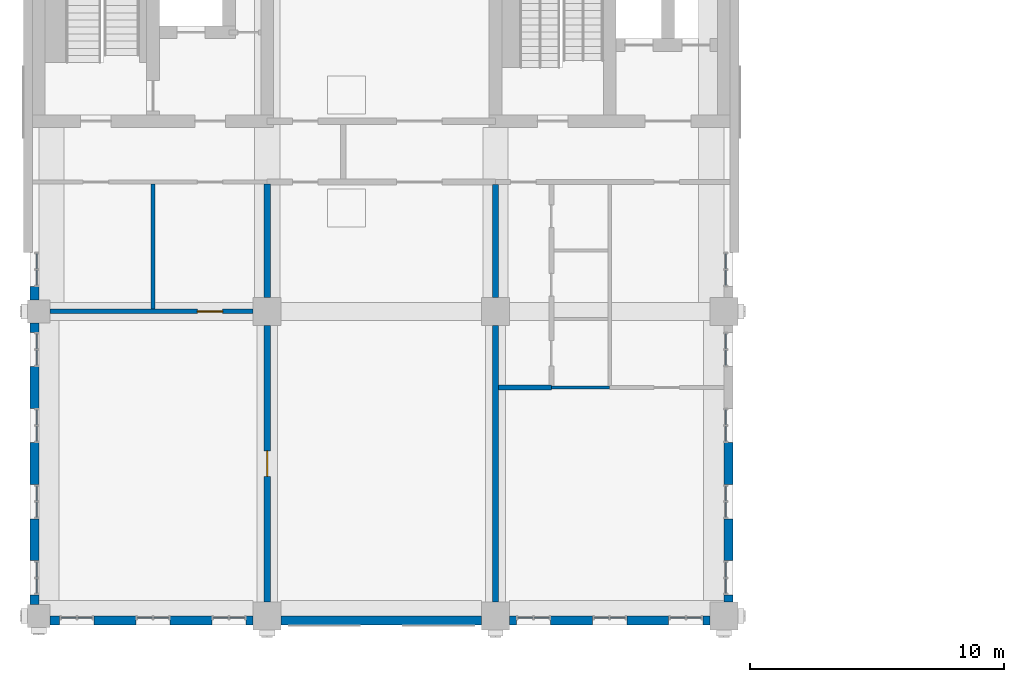
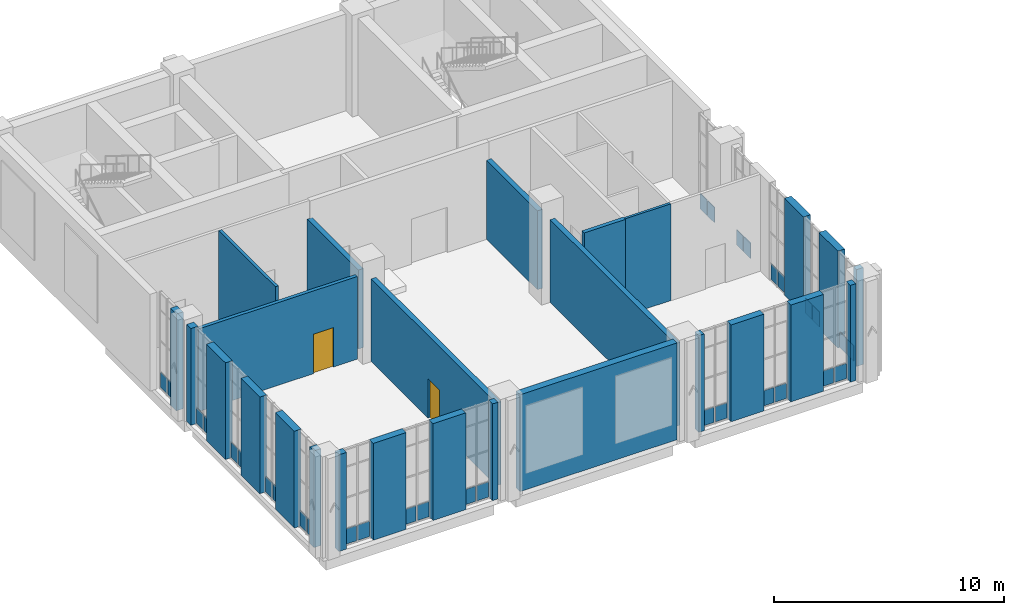
# One storey, part 12 of 22: 32 plates, 26 walls, 2 doors, 2 openings, 16 elements without a shape of their own.
"""IFC4 building model written with IfcOpenShell, lengths in metres."""

from ifc_helpers import new_model, si_unit, direction, frame, frame_2d, origin, origin_2d, place, context, subcontext, project, spatial, rectangle, extrude, material, layer, layer_set, type_object, element, fill, aggregate, save


model = new_model("IFC4")

# Units and contexts
model_context = context("Model", 3, precision=1e-05, world=origin(), true_north=direction((0.0, 1.0)))
body_context = subcontext(model_context, "Body", "Model", "MODEL_VIEW")
ifc_project = project(units=[si_unit("LENGTHUNIT", "METRE"), si_unit("AREAUNIT", "SQUARE_METRE"), si_unit("VOLUMEUNIT", "CUBIC_METRE"), si_unit("PLANEANGLEUNIT", "RADIAN"), si_unit("MASSUNIT", "GRAM", prefix="KILO")], contexts=[model_context])

# Site, building, storey
site_placement = place(None, origin())
site = spatial("IfcSite", under=ifc_project, at=site_placement, CompositionType="ELEMENT")
building_placement = place(site_placement, origin())
building = spatial("IfcBuilding", under=site, at=building_placement, Name="Aurelan Courthouse", CompositionType="ELEMENT")
storey_placement = place(building_placement, frame((0.0, 0.0, 39.0)))
storey = spatial("IfcBuildingStorey", under=building, at=storey_placement, Name="L07", CompositionType="ELEMENT", Elevation=39.0)

# Curtain wall, plates
ifc_material_1 = material(Name="Bronze-finished aluminium and glass", Category="aluminium")
ifc_layer_1 = layer(ifc_material_1, 0.14990234375)
ifc_layer_set_1 = layer_set([ifc_layer_1], Name="Bronze-finished aluminium and glass")
curtain_wall_type = type_object("IfcCurtainWallType", Name="Curtain wall 1350 x 5150", PredefinedType="NOTDEFINED", material=ifc_layer_set_1)
curtain_wall_1_placement = place(storey_placement, origin())
curtain_wall_1 = element("IfcCurtainWall", 1, at=curtain_wall_1_placement, inside=storey, type_object=curtain_wall_type, Name="Curtain wall CW-V5-L07-S01", PredefinedType="NOTDEFINED")
ifc_material_2 = material(Name="Bronze-finished aluminium", Category="aluminium")
ifc_layer_2 = layer(ifc_material_2, 0.0400390625)
ifc_layer_set_2 = layer_set([ifc_layer_2], Name="Bronze-finished aluminium")
plate_type = type_object("IfcPlateType", Name="Sill panel 40", PredefinedType="CURTAIN_PANEL", material=ifc_layer_set_2)
plate_1_placement = place(storey_placement, frame((1.177490234375, -0.074951171875, 0.06005859375), z_axis=(0.0, 0.0, 1.0), x_axis=(1.0, 0.0, 0.0)))
plate_1 = element("IfcPlate", 2, at=plate_1_placement, type_object=plate_type, Name="CW-V5-L07-S01 sill panel 1.1", PredefinedType="CURTAIN_PANEL", context=body_context, shape_type="SweptSolid", body=[
    extrude(rectangle(XDim=0.5849609375, YDim=0.0400390625, at=origin_2d()), origin(), (0.0, 0.0, 1.0), 0.81005859375),
])
plate_2_placement = place(storey_placement, frame((1.822509765625, -0.074951171875, 0.06005859375), z_axis=(0.0, 0.0, 1.0), x_axis=(1.0, 0.0, 0.0)))
plate_2 = element("IfcPlate", 3, at=plate_2_placement, type_object=plate_type, Name="CW-V5-L07-S01 sill panel 2.1", PredefinedType="CURTAIN_PANEL", context=body_context, shape_type="SweptSolid", body=[
    extrude(rectangle(XDim=0.5849609375, YDim=0.0400390625, at=origin_2d()), origin(), (0.0, 0.0, 1.0), 0.81005859375),
])
aggregate(curtain_wall_1, [plate_1, plate_2])

curtain_wall_2_placement = place(storey_placement, origin())
curtain_wall_2 = element("IfcCurtainWall", 4, at=curtain_wall_2_placement, inside=storey, type_object=curtain_wall_type, Name="Curtain wall CW-V5-L07-S02", PredefinedType="NOTDEFINED")
plate_3_placement = place(storey_placement, frame((4.177490234375, -0.074951171875, 0.06005859375), z_axis=(0.0, 0.0, 1.0), x_axis=(1.0, 0.0, 0.0)))
plate_3 = element("IfcPlate", 5, at=plate_3_placement, type_object=plate_type, Name="CW-V5-L07-S02 sill panel 1.1", PredefinedType="CURTAIN_PANEL", context=body_context, shape_type="SweptSolid", body=[
    extrude(rectangle(XDim=0.5849609375, YDim=0.0400390625, at=origin_2d()), origin(), (0.0, 0.0, 1.0), 0.81005859375),
])
plate_4_placement = place(storey_placement, frame((4.822509765625, -0.074951171875, 0.06005859375), z_axis=(0.0, 0.0, 1.0), x_axis=(1.0, 0.0, 0.0)))
plate_4 = element("IfcPlate", 6, at=plate_4_placement, type_object=plate_type, Name="CW-V5-L07-S02 sill panel 2.1", PredefinedType="CURTAIN_PANEL", context=body_context, shape_type="SweptSolid", body=[
    extrude(rectangle(XDim=0.5849609375, YDim=0.0400390625, at=origin_2d()), origin(), (0.0, 0.0, 1.0), 0.81005859375),
])
aggregate(curtain_wall_2, [plate_3, plate_4])

curtain_wall_3_placement = place(storey_placement, origin())
curtain_wall_3 = element("IfcCurtainWall", 7, at=curtain_wall_3_placement, inside=storey, type_object=curtain_wall_type, Name="Curtain wall CW-V5-L07-S03", PredefinedType="NOTDEFINED")
plate_5_placement = place(storey_placement, frame((7.177490234375, -0.074951171875, 0.06005859375), z_axis=(0.0, 0.0, 1.0), x_axis=(1.0, 0.0, 0.0)))
plate_5 = element("IfcPlate", 8, at=plate_5_placement, type_object=plate_type, Name="CW-V5-L07-S03 sill panel 1.1", PredefinedType="CURTAIN_PANEL", context=body_context, shape_type="SweptSolid", body=[
    extrude(rectangle(XDim=0.5849609375, YDim=0.0400390625, at=origin_2d()), origin(), (0.0, 0.0, 1.0), 0.81005859375),
])
plate_6_placement = place(storey_placement, frame((7.822509765625, -0.074951171875, 0.06005859375), z_axis=(0.0, 0.0, 1.0), x_axis=(1.0, 0.0, 0.0)))
plate_6 = element("IfcPlate", 9, at=plate_6_placement, type_object=plate_type, Name="CW-V5-L07-S03 sill panel 2.1", PredefinedType="CURTAIN_PANEL", context=body_context, shape_type="SweptSolid", body=[
    extrude(rectangle(XDim=0.5849609375, YDim=0.0400390625, at=origin_2d()), origin(), (0.0, 0.0, 1.0), 0.81005859375),
])
aggregate(curtain_wall_3, [plate_5, plate_6])

curtain_wall_4_placement = place(storey_placement, origin())
curtain_wall_4 = element("IfcCurtainWall", 10, at=curtain_wall_4_placement, inside=storey, type_object=curtain_wall_type, Name="Curtain wall CW-V5-L07-S04", PredefinedType="NOTDEFINED")
plate_7_placement = place(storey_placement, frame((19.177490234375, -0.074951171875, 0.06005859375), z_axis=(0.0, 0.0, 1.0), x_axis=(1.0, 0.0, 0.0)))
plate_7 = element("IfcPlate", 11, at=plate_7_placement, type_object=plate_type, Name="CW-V5-L07-S04 sill panel 1.1", PredefinedType="CURTAIN_PANEL", context=body_context, shape_type="SweptSolid", body=[
    extrude(rectangle(XDim=0.5849609375, YDim=0.0400390625, at=origin_2d()), origin(), (0.0, 0.0, 1.0), 0.81005859375),
])
plate_8_placement = place(storey_placement, frame((19.822509765625, -0.074951171875, 0.06005859375), z_axis=(0.0, 0.0, 1.0), x_axis=(1.0, 0.0, 0.0)))
plate_8 = element("IfcPlate", 12, at=plate_8_placement, type_object=plate_type, Name="CW-V5-L07-S04 sill panel 2.1", PredefinedType="CURTAIN_PANEL", context=body_context, shape_type="SweptSolid", body=[
    extrude(rectangle(XDim=0.5849609375, YDim=0.0400390625, at=origin_2d()), origin(), (0.0, 0.0, 1.0), 0.81005859375),
])
aggregate(curtain_wall_4, [plate_7, plate_8])

curtain_wall_5_placement = place(storey_placement, origin())
curtain_wall_5 = element("IfcCurtainWall", 13, at=curtain_wall_5_placement, inside=storey, type_object=curtain_wall_type, Name="Curtain wall CW-V5-L07-S05", PredefinedType="NOTDEFINED")
plate_9_placement = place(storey_placement, frame((22.177490234375, -0.074951171875, 0.06005859375), z_axis=(0.0, 0.0, 1.0), x_axis=(1.0, 0.0, 0.0)))
plate_9 = element("IfcPlate", 14, at=plate_9_placement, type_object=plate_type, Name="CW-V5-L07-S05 sill panel 1.1", PredefinedType="CURTAIN_PANEL", context=body_context, shape_type="SweptSolid", body=[
    extrude(rectangle(XDim=0.5849609375, YDim=0.0400390625, at=origin_2d()), origin(), (0.0, 0.0, 1.0), 0.81005859375),
])
plate_10_placement = place(storey_placement, frame((22.822509765625, -0.074951171875, 0.06005859375), z_axis=(0.0, 0.0, 1.0), x_axis=(1.0, 0.0, 0.0)))
plate_10 = element("IfcPlate", 15, at=plate_10_placement, type_object=plate_type, Name="CW-V5-L07-S05 sill panel 2.1", PredefinedType="CURTAIN_PANEL", context=body_context, shape_type="SweptSolid", body=[
    extrude(rectangle(XDim=0.5849609375, YDim=0.0400390625, at=origin_2d()), origin(), (0.0, 0.0, 1.0), 0.81005859375),
])
aggregate(curtain_wall_5, [plate_9, plate_10])

curtain_wall_6_placement = place(storey_placement, origin())
curtain_wall_6 = element("IfcCurtainWall", 16, at=curtain_wall_6_placement, inside=storey, type_object=curtain_wall_type, Name="Curtain wall CW-V5-L07-S06", PredefinedType="NOTDEFINED")
plate_11_placement = place(storey_placement, frame((25.177490234375, -0.074951171875, 0.06005859375), z_axis=(0.0, 0.0, 1.0), x_axis=(1.0, 0.0, 0.0)))
plate_11 = element("IfcPlate", 17, at=plate_11_placement, type_object=plate_type, Name="CW-V5-L07-S06 sill panel 1.1", PredefinedType="CURTAIN_PANEL", context=body_context, shape_type="SweptSolid", body=[
    extrude(rectangle(XDim=0.5849609375, YDim=0.0400390625, at=origin_2d()), origin(), (0.0, 0.0, 1.0), 0.81005859375),
])
plate_12_placement = place(storey_placement, frame((25.822509765625, -0.074951171875, 0.06005859375), z_axis=(0.0, 0.0, 1.0), x_axis=(1.0, 0.0, 0.0)))
plate_12 = element("IfcPlate", 18, at=plate_12_placement, type_object=plate_type, Name="CW-V5-L07-S06 sill panel 2.1", PredefinedType="CURTAIN_PANEL", context=body_context, shape_type="SweptSolid", body=[
    extrude(rectangle(XDim=0.5849609375, YDim=0.0400390625, at=origin_2d()), origin(), (0.0, 0.0, 1.0), 0.81005859375),
])
aggregate(curtain_wall_6, [plate_11, plate_12])

curtain_wall_7_placement = place(storey_placement, origin())
curtain_wall_7 = element("IfcCurtainWall", 19, at=curtain_wall_7_placement, inside=storey, type_object=curtain_wall_type, Name="Curtain wall CW-V5-L07-E01", PredefinedType="NOTDEFINED")
plate_13_placement = place(storey_placement, frame((27.074951171875, 1.177490234375, 0.06005859375), z_axis=(0.0, 0.0, 1.0), x_axis=(0.0, 1.0, 0.0)))
plate_13 = element("IfcPlate", 20, at=plate_13_placement, type_object=plate_type, Name="CW-V5-L07-E01 sill panel 1.1", PredefinedType="CURTAIN_PANEL", context=body_context, shape_type="SweptSolid", body=[
    extrude(rectangle(XDim=0.5849609375, YDim=0.0400390625, at=origin_2d()), origin(), (0.0, 0.0, 1.0), 0.81005859375),
])
plate_14_placement = place(storey_placement, frame((27.074951171875, 1.822509765625, 0.06005859375), z_axis=(0.0, 0.0, 1.0), x_axis=(0.0, 1.0, 0.0)))
plate_14 = element("IfcPlate", 21, at=plate_14_placement, type_object=plate_type, Name="CW-V5-L07-E01 sill panel 2.1", PredefinedType="CURTAIN_PANEL", context=body_context, shape_type="SweptSolid", body=[
    extrude(rectangle(XDim=0.5849609375, YDim=0.0400390625, at=origin_2d()), origin(), (0.0, 0.0, 1.0), 0.81005859375),
])
aggregate(curtain_wall_7, [plate_13, plate_14])

curtain_wall_8_placement = place(storey_placement, origin())
curtain_wall_8 = element("IfcCurtainWall", 22, at=curtain_wall_8_placement, inside=storey, type_object=curtain_wall_type, Name="Curtain wall CW-V5-L07-E02", PredefinedType="NOTDEFINED")
plate_15_placement = place(storey_placement, frame((27.074951171875, 4.177490234375, 0.06005859375), z_axis=(0.0, 0.0, 1.0), x_axis=(0.0, 1.0, 0.0)))
plate_15 = element("IfcPlate", 23, at=plate_15_placement, type_object=plate_type, Name="CW-V5-L07-E02 sill panel 1.1", PredefinedType="CURTAIN_PANEL", context=body_context, shape_type="SweptSolid", body=[
    extrude(rectangle(XDim=0.5849609375, YDim=0.0400390625, at=origin_2d()), origin(), (0.0, 0.0, 1.0), 0.81005859375),
])
plate_16_placement = place(storey_placement, frame((27.074951171875, 4.822509765625, 0.06005859375), z_axis=(0.0, 0.0, 1.0), x_axis=(0.0, 1.0, 0.0)))
plate_16 = element("IfcPlate", 24, at=plate_16_placement, type_object=plate_type, Name="CW-V5-L07-E02 sill panel 2.1", PredefinedType="CURTAIN_PANEL", context=body_context, shape_type="SweptSolid", body=[
    extrude(rectangle(XDim=0.5849609375, YDim=0.0400390625, at=origin_2d()), origin(), (0.0, 0.0, 1.0), 0.81005859375),
])
aggregate(curtain_wall_8, [plate_15, plate_16])

curtain_wall_9_placement = place(storey_placement, origin())
curtain_wall_9 = element("IfcCurtainWall", 25, at=curtain_wall_9_placement, inside=storey, type_object=curtain_wall_type, Name="Curtain wall CW-V5-L07-E03", PredefinedType="NOTDEFINED")
plate_17_placement = place(storey_placement, frame((27.074951171875, 7.177490234375, 0.06005859375), z_axis=(0.0, 0.0, 1.0), x_axis=(0.0, 1.0, 0.0)))
plate_17 = element("IfcPlate", 26, at=plate_17_placement, type_object=plate_type, Name="CW-V5-L07-E03 sill panel 1.1", PredefinedType="CURTAIN_PANEL", context=body_context, shape_type="SweptSolid", body=[
    extrude(rectangle(XDim=0.5849609375, YDim=0.0400390625, at=origin_2d()), origin(), (0.0, 0.0, 1.0), 0.81005859375),
])
plate_18_placement = place(storey_placement, frame((27.074951171875, 7.822509765625, 0.06005859375), z_axis=(0.0, 0.0, 1.0), x_axis=(0.0, 1.0, 0.0)))
plate_18 = element("IfcPlate", 27, at=plate_18_placement, type_object=plate_type, Name="CW-V5-L07-E03 sill panel 2.1", PredefinedType="CURTAIN_PANEL", context=body_context, shape_type="SweptSolid", body=[
    extrude(rectangle(XDim=0.5849609375, YDim=0.0400390625, at=origin_2d()), origin(), (0.0, 0.0, 1.0), 0.81005859375),
])
aggregate(curtain_wall_9, [plate_17, plate_18])

curtain_wall_10_placement = place(storey_placement, origin())
curtain_wall_10 = element("IfcCurtainWall", 28, at=curtain_wall_10_placement, inside=storey, type_object=curtain_wall_type, Name="Curtain wall CW-V5-L07-E04", PredefinedType="NOTDEFINED")
plate_19_placement = place(storey_placement, frame((27.074951171875, 10.177490234375, 0.06005859375), z_axis=(0.0, 0.0, 1.0), x_axis=(0.0, 1.0, 0.0)))
plate_19 = element("IfcPlate", 29, at=plate_19_placement, type_object=plate_type, Name="CW-V5-L07-E04 sill panel 1.1", PredefinedType="CURTAIN_PANEL", context=body_context, shape_type="SweptSolid", body=[
    extrude(rectangle(XDim=0.5849609375, YDim=0.0400390625, at=origin_2d()), origin(), (0.0, 0.0, 1.0), 0.81005859375),
])
plate_20_placement = place(storey_placement, frame((27.074951171875, 10.822509765625, 0.06005859375), z_axis=(0.0, 0.0, 1.0), x_axis=(0.0, 1.0, 0.0)))
plate_20 = element("IfcPlate", 30, at=plate_20_placement, type_object=plate_type, Name="CW-V5-L07-E04 sill panel 2.1", PredefinedType="CURTAIN_PANEL", context=body_context, shape_type="SweptSolid", body=[
    extrude(rectangle(XDim=0.5849609375, YDim=0.0400390625, at=origin_2d()), origin(), (0.0, 0.0, 1.0), 0.81005859375),
])
aggregate(curtain_wall_10, [plate_19, plate_20])

curtain_wall_11_placement = place(storey_placement, origin())
curtain_wall_11 = element("IfcCurtainWall", 31, at=curtain_wall_11_placement, inside=storey, type_object=curtain_wall_type, Name="Curtain wall CW-V5-L07-E05", PredefinedType="NOTDEFINED")
plate_21_placement = place(storey_placement, frame((27.074951171875, 13.327392578125, 0.06005859375), z_axis=(0.0, 0.0, 1.0), x_axis=(0.0, 1.0, 0.0)))
plate_21 = element("IfcPlate", 32, at=plate_21_placement, type_object=plate_type, Name="CW-V5-L07-E05 sill panel 1.1", PredefinedType="CURTAIN_PANEL", context=body_context, shape_type="SweptSolid", body=[
    extrude(rectangle(XDim=0.5849609375, YDim=0.0400390625, at=origin_2d()), origin(), (0.0, 0.0, 1.0), 0.81005859375),
])
plate_22_placement = place(storey_placement, frame((27.074951171875, 13.972412109375, 0.06005859375), z_axis=(0.0, 0.0, 1.0), x_axis=(0.0, 1.0, 0.0)))
plate_22 = element("IfcPlate", 33, at=plate_22_placement, type_object=plate_type, Name="CW-V5-L07-E05 sill panel 2.1", PredefinedType="CURTAIN_PANEL", context=body_context, shape_type="SweptSolid", body=[
    extrude(rectangle(XDim=0.5849609375, YDim=0.0400390625, at=origin_2d()), origin(), (0.0, 0.0, 1.0), 0.81005859375),
])
aggregate(curtain_wall_11, [plate_21, plate_22])

curtain_wall_12_placement = place(storey_placement, origin())
curtain_wall_12 = element("IfcCurtainWall", 34, at=curtain_wall_12_placement, inside=storey, type_object=curtain_wall_type, Name="Curtain wall CW-V5-L07-W01", PredefinedType="NOTDEFINED")
plate_23_placement = place(storey_placement, frame((-0.074951171875, 1.177490234375, 0.06005859375), z_axis=(0.0, 0.0, 1.0), x_axis=(0.0, 1.0, 0.0)))
plate_23 = element("IfcPlate", 35, at=plate_23_placement, type_object=plate_type, Name="CW-V5-L07-W01 sill panel 1.1", PredefinedType="CURTAIN_PANEL", context=body_context, shape_type="SweptSolid", body=[
    extrude(rectangle(XDim=0.5849609375, YDim=0.0400390625, at=origin_2d()), origin(), (0.0, 0.0, 1.0), 0.81005859375),
])
plate_24_placement = place(storey_placement, frame((-0.074951171875, 1.822509765625, 0.06005859375), z_axis=(0.0, 0.0, 1.0), x_axis=(0.0, 1.0, 0.0)))
plate_24 = element("IfcPlate", 36, at=plate_24_placement, type_object=plate_type, Name="CW-V5-L07-W01 sill panel 2.1", PredefinedType="CURTAIN_PANEL", context=body_context, shape_type="SweptSolid", body=[
    extrude(rectangle(XDim=0.5849609375, YDim=0.0400390625, at=origin_2d()), origin(), (0.0, 0.0, 1.0), 0.81005859375),
])
aggregate(curtain_wall_12, [plate_23, plate_24])

curtain_wall_13_placement = place(storey_placement, origin())
curtain_wall_13 = element("IfcCurtainWall", 37, at=curtain_wall_13_placement, inside=storey, type_object=curtain_wall_type, Name="Curtain wall CW-V5-L07-W02", PredefinedType="NOTDEFINED")
plate_25_placement = place(storey_placement, frame((-0.074951171875, 4.177490234375, 0.06005859375), z_axis=(0.0, 0.0, 1.0), x_axis=(0.0, 1.0, 0.0)))
plate_25 = element("IfcPlate", 38, at=plate_25_placement, type_object=plate_type, Name="CW-V5-L07-W02 sill panel 1.1", PredefinedType="CURTAIN_PANEL", context=body_context, shape_type="SweptSolid", body=[
    extrude(rectangle(XDim=0.5849609375, YDim=0.0400390625, at=origin_2d()), origin(), (0.0, 0.0, 1.0), 0.81005859375),
])
plate_26_placement = place(storey_placement, frame((-0.074951171875, 4.822509765625, 0.06005859375), z_axis=(0.0, 0.0, 1.0), x_axis=(0.0, 1.0, 0.0)))
plate_26 = element("IfcPlate", 39, at=plate_26_placement, type_object=plate_type, Name="CW-V5-L07-W02 sill panel 2.1", PredefinedType="CURTAIN_PANEL", context=body_context, shape_type="SweptSolid", body=[
    extrude(rectangle(XDim=0.5849609375, YDim=0.0400390625, at=origin_2d()), origin(), (0.0, 0.0, 1.0), 0.81005859375),
])
aggregate(curtain_wall_13, [plate_25, plate_26])

curtain_wall_14_placement = place(storey_placement, origin())
curtain_wall_14 = element("IfcCurtainWall", 40, at=curtain_wall_14_placement, inside=storey, type_object=curtain_wall_type, Name="Curtain wall CW-V5-L07-W03", PredefinedType="NOTDEFINED")
plate_27_placement = place(storey_placement, frame((-0.074951171875, 7.177490234375, 0.06005859375), z_axis=(0.0, 0.0, 1.0), x_axis=(0.0, 1.0, 0.0)))
plate_27 = element("IfcPlate", 41, at=plate_27_placement, type_object=plate_type, Name="CW-V5-L07-W03 sill panel 1.1", PredefinedType="CURTAIN_PANEL", context=body_context, shape_type="SweptSolid", body=[
    extrude(rectangle(XDim=0.5849609375, YDim=0.0400390625, at=origin_2d()), origin(), (0.0, 0.0, 1.0), 0.81005859375),
])
plate_28_placement = place(storey_placement, frame((-0.074951171875, 7.822509765625, 0.06005859375), z_axis=(0.0, 0.0, 1.0), x_axis=(0.0, 1.0, 0.0)))
plate_28 = element("IfcPlate", 42, at=plate_28_placement, type_object=plate_type, Name="CW-V5-L07-W03 sill panel 2.1", PredefinedType="CURTAIN_PANEL", context=body_context, shape_type="SweptSolid", body=[
    extrude(rectangle(XDim=0.5849609375, YDim=0.0400390625, at=origin_2d()), origin(), (0.0, 0.0, 1.0), 0.81005859375),
])
aggregate(curtain_wall_14, [plate_27, plate_28])

curtain_wall_15_placement = place(storey_placement, origin())
curtain_wall_15 = element("IfcCurtainWall", 43, at=curtain_wall_15_placement, inside=storey, type_object=curtain_wall_type, Name="Curtain wall CW-V5-L07-W04", PredefinedType="NOTDEFINED")
plate_29_placement = place(storey_placement, frame((-0.074951171875, 10.177490234375, 0.06005859375), z_axis=(0.0, 0.0, 1.0), x_axis=(0.0, 1.0, 0.0)))
plate_29 = element("IfcPlate", 44, at=plate_29_placement, type_object=plate_type, Name="CW-V5-L07-W04 sill panel 1.1", PredefinedType="CURTAIN_PANEL", context=body_context, shape_type="SweptSolid", body=[
    extrude(rectangle(XDim=0.5849609375, YDim=0.0400390625, at=origin_2d()), origin(), (0.0, 0.0, 1.0), 0.81005859375),
])
plate_30_placement = place(storey_placement, frame((-0.074951171875, 10.822509765625, 0.06005859375), z_axis=(0.0, 0.0, 1.0), x_axis=(0.0, 1.0, 0.0)))
plate_30 = element("IfcPlate", 45, at=plate_30_placement, type_object=plate_type, Name="CW-V5-L07-W04 sill panel 2.1", PredefinedType="CURTAIN_PANEL", context=body_context, shape_type="SweptSolid", body=[
    extrude(rectangle(XDim=0.5849609375, YDim=0.0400390625, at=origin_2d()), origin(), (0.0, 0.0, 1.0), 0.81005859375),
])
aggregate(curtain_wall_15, [plate_29, plate_30])

curtain_wall_16_placement = place(storey_placement, origin())
curtain_wall_16 = element("IfcCurtainWall", 46, at=curtain_wall_16_placement, inside=storey, type_object=curtain_wall_type, Name="Curtain wall CW-V5-L07-W05", PredefinedType="NOTDEFINED")
plate_31_placement = place(storey_placement, frame((-0.074951171875, 13.327392578125, 0.06005859375), z_axis=(0.0, 0.0, 1.0), x_axis=(0.0, 1.0, 0.0)))
plate_31 = element("IfcPlate", 47, at=plate_31_placement, type_object=plate_type, Name="CW-V5-L07-W05 sill panel 1.1", PredefinedType="CURTAIN_PANEL", context=body_context, shape_type="SweptSolid", body=[
    extrude(rectangle(XDim=0.5849609375, YDim=0.0400390625, at=origin_2d()), origin(), (0.0, 0.0, 1.0), 0.81005859375),
])
plate_32_placement = place(storey_placement, frame((-0.074951171875, 13.972412109375, 0.06005859375), z_axis=(0.0, 0.0, 1.0), x_axis=(0.0, 1.0, 0.0)))
plate_32 = element("IfcPlate", 48, at=plate_32_placement, type_object=plate_type, Name="CW-V5-L07-W05 sill panel 2.1", PredefinedType="CURTAIN_PANEL", context=body_context, shape_type="SweptSolid", body=[
    extrude(rectangle(XDim=0.5849609375, YDim=0.0400390625, at=origin_2d()), origin(), (0.0, 0.0, 1.0), 0.81005859375),
])
aggregate(curtain_wall_16, [plate_31, plate_32])

# Wall, opening, door
ifc_material_3 = material(Name="Gypsum board on metal studs")
ifc_layer_3 = layer(ifc_material_3, 0.175048828125)
ifc_layer_set_3 = layer_set([ifc_layer_3], Name="Gypsum board on metal studs")
wall_type_1 = type_object("IfcWallType", Name="Chambers acoustic partition 175 NOT RATED", PredefinedType="PARTITIONING", material=ifc_layer_set_3)
wall_1_placement = place(storey_placement, frame((0.449951171875, 12.0, 0.0), z_axis=(0.0, 0.0, 1.0), x_axis=(1.0, 0.0, 0.0)))
wall_1 = element("IfcWall", 49, at=wall_1_placement, inside=storey, type_object=wall_type_1, Name="Chambers acoustic partition L07-005", PredefinedType="PARTITIONING", context=body_context, shape_type="SweptSolid", body=[
    extrude(rectangle(XDim=8.0, YDim=0.175048828125, at=frame_2d((4.0, 0.0))), origin(), (0.0, 0.0, 1.0), 4.39990234375),
])
opening_1_placement = place(wall_1_placement, frame((5.800048828125, 0.0, 0.0)))
opening_1 = element("IfcOpeningElement", 50, at=opening_1_placement, cuts=wall_1, Name="Opening D-L07-047", PredefinedType="OPENING", context=body_context, shape_type="SweptSolid", body=[
    extrude(rectangle(XDim=1.0, YDim=2.10009765625, at=frame_2d((0.5, 1.050048828125))), frame((0.0, 0.097412109375, 0.0), z_axis=(0.0, -1.0, 0.0), x_axis=(1.0, 0.0, 0.0)), (0.0, 0.0, 1.0), 0.195068359375),
])
ifc_material_4 = material(Name="Timber", Category="wood")
door_type_1 = type_object("IfcDoorType", Name="Single door 1000 x 2100 NOT RATED", OperationType="SINGLE_SWING_LEFT", PredefinedType="DOOR", material=ifc_material_4)
door_1_placement = place(opening_1_placement, origin())
door_1 = element("IfcDoor", 51, at=door_1_placement, inside=storey, type_object=door_type_1, Name="Single door D-L07-047", OperationType="SINGLE_SWING_RIGHT", OverallHeight=2.10009765625, OverallWidth=1.0, PredefinedType="DOOR", context=body_context, shape_type="SweptSolid", body=[
    extrude(rectangle(XDim=1.0, YDim=2.10009765625, at=frame_2d((0.5, 1.050048828125))), frame((0.0, 0.02490234375, 0.0), z_axis=(0.0, -1.0, 0.0), x_axis=(1.0, 0.0, 0.0)), (0.0, 0.0, 1.0), 0.050048828125),
])
fill(opening_1, door_1)

ifc_material_5 = material(Name="Masonry block", Category="masonry")
ifc_layer_4 = layer(ifc_material_5, 0.25)
ifc_layer_set_4 = layer_set([ifc_layer_4], Name="Masonry block")
wall_type_2 = type_object("IfcWallType", Name="Courtroom wall 250 EI 60", PredefinedType="PARTITIONING", material=ifc_layer_set_4)
wall_2_placement = place(storey_placement, frame((9.0, 0.550048828125, 0.0), z_axis=(0.0, 0.0, 1.0), x_axis=(0.0, 1.0, 0.0)))
wall_2 = element("IfcWall", 52, at=wall_2_placement, inside=storey, type_object=wall_type_2, Name="Courtroom wall L07-029", PredefinedType="PARTITIONING", context=body_context, shape_type="SweptSolid", body=[
    extrude(rectangle(XDim=10.89990234375, YDim=0.25, at=frame_2d((5.449951171875, 0.0))), origin(), (0.0, 0.0, 1.0), 4.39990234375),
])
opening_2_placement = place(wall_2_placement, frame((5.949951171875, 0.0, 0.0), z_axis=(0.0, 0.0, 1.0), x_axis=(-1.0, 0.0, 0.0)))
opening_2 = element("IfcOpeningElement", 53, at=opening_2_placement, cuts=wall_2, Name="Opening D-L07-048", PredefinedType="OPENING", context=body_context, shape_type="SweptSolid", body=[
    extrude(rectangle(XDim=1.0, YDim=2.10009765625, at=frame_2d((0.5, 1.050048828125))), frame((0.0, 0.135009765625, 0.0), z_axis=(0.0, -1.0, 0.0), x_axis=(1.0, 0.0, 0.0)), (0.0, 0.0, 1.0), 0.27001953125),
])
ifc_material_6 = material(Name="Steel", Category="steel")
door_type_2 = type_object("IfcDoorType", Name="Single door 1000 x 2100 FD30", OperationType="SINGLE_SWING_LEFT", PredefinedType="DOOR", material=ifc_material_6)
door_2_placement = place(opening_2_placement, origin())
door_2 = element("IfcDoor", 54, at=door_2_placement, inside=storey, type_object=door_type_2, Name="Single door D-L07-048", OperationType="SINGLE_SWING_RIGHT", OverallHeight=2.10009765625, OverallWidth=1.0, PredefinedType="DOOR", context=body_context, shape_type="SweptSolid", body=[
    extrude(rectangle(XDim=1.0, YDim=2.10009765625, at=frame_2d((0.5, 1.050048828125))), frame((0.0, 0.02490234375, 0.0), z_axis=(0.0, -1.0, 0.0), x_axis=(1.0, 0.0, 0.0)), (0.0, 0.0, 1.0), 0.050048828125),
])
fill(opening_2, door_2)

# Walls
wall_3_placement = place(storey_placement, frame((9.0, 12.550048828125, 0.0), z_axis=(0.0, 0.0, 1.0), x_axis=(0.0, 1.0, 0.0)))
element("IfcWall", 55, at=wall_3_placement, inside=storey, type_object=wall_type_2, Name="Courtroom wall L07-030", PredefinedType="PARTITIONING", context=body_context, shape_type="SweptSolid", body=[
    extrude(rectangle(XDim=4.474853515625, YDim=0.25, at=frame_2d((2.2373046875, 0.0))), origin(), (0.0, 0.0, 1.0), 4.199951171875),
])
wall_4_placement = place(storey_placement, frame((18.0, 0.550048828125, 0.0), z_axis=(0.0, 0.0, 1.0), x_axis=(0.0, 1.0, 0.0)))
element("IfcWall", 56, at=wall_4_placement, inside=storey, type_object=wall_type_2, Name="Courtroom wall L07-032", PredefinedType="PARTITIONING", context=body_context, shape_type="SweptSolid", body=[
    extrude(rectangle(XDim=10.89990234375, YDim=0.25, at=frame_2d((5.449951171875, 0.0))), origin(), (0.0, 0.0, 1.0), 4.39990234375),
])
wall_5_placement = place(storey_placement, frame((18.0, 12.550048828125, 0.0), z_axis=(0.0, 0.0, 1.0), x_axis=(0.0, 1.0, 0.0)))
element("IfcWall", 57, at=wall_5_placement, inside=storey, type_object=wall_type_2, Name="Courtroom wall L07-033", PredefinedType="PARTITIONING", context=body_context, shape_type="SweptSolid", body=[
    extrude(rectangle(XDim=4.449951171875, YDim=0.25, at=frame_2d((2.22509765625, 0.0))), origin(), (0.0, 0.0, 1.0), 4.199951171875),
])
ifc_material_7 = material(Name="Limestone cladding", Category="masonry")
ifc_layer_5 = layer(ifc_material_7, 0.10009765625, Name="Facing")
ifc_material_8 = material(Name="Ventilated cavity")
ifc_layer_6 = layer(ifc_material_8, 0.02490234375, ventilated=True, Name="Ventilated cavity")
ifc_material_9 = material(Name="Mineral wool insulation")
ifc_layer_7 = layer(ifc_material_9, 0.050048828125, Name="Insulation")
ifc_material_10 = material(Name="Concrete C30", Category="concrete")
ifc_layer_8 = layer(ifc_material_10, 0.175048828125, Name="Structure")
ifc_layer_set_5 = layer_set([ifc_layer_5, ifc_layer_6, ifc_layer_7, ifc_layer_8], Name="Concrete C30")
wall_type_3 = type_object("IfcWallType", Name="Courts' Floors stone-faced wall 350", PredefinedType="SOLIDWALL", material=ifc_layer_set_5)
wall_6_placement = place(storey_placement, frame((0.449951171875, -0.175048828125, 0.0), z_axis=(0.0, 0.0, 1.0), x_axis=(1.0, 0.0, 0.0)))
element("IfcWall", 58, at=wall_6_placement, inside=storey, type_object=wall_type_3, Name="Facade wall FW-V5-L07-001", PredefinedType="SOLIDWALL", context=body_context, shape_type="SweptSolid", body=[
    extrude(rectangle(XDim=0.375, YDim=0.35009765625, at=frame_2d((0.1875, 0.0))), origin(), (0.0, 0.0, 1.0), 5.14990234375),
])
for number, where, z_axis, x_axis, name in (
    (59, (2.175048828125, -0.175048828125, 0.0), (0.0, 0.0, 1.0), (1.0, 0.0, 0.0), "Facade wall FW-V5-L07-002"),
    (60, (5.175048828125, -0.175048828125, 0.0), (0.0, 0.0, 1.0), (1.0, 0.0, 0.0), "Facade wall FW-V5-L07-003"),
):
    element("IfcWall", number, at=place(storey_placement, frame(where, z_axis=z_axis, x_axis=x_axis)), inside=storey, type_object=wall_type_3, Name=name, PredefinedType="SOLIDWALL", context=body_context, shape_type="SweptSolid", body=[
        extrude(rectangle(XDim=1.64990234375, YDim=0.35009765625, at=frame_2d((0.824951171875, 0.0))), origin(), (0.0, 0.0, 1.0), 5.14990234375),
    ])
wall_7_placement = place(storey_placement, frame((8.175048828125, -0.175048828125, 0.0), z_axis=(0.0, 0.0, 1.0), x_axis=(1.0, 0.0, 0.0)))
element("IfcWall", 61, at=wall_7_placement, inside=storey, type_object=wall_type_3, Name="Facade wall FW-V5-L07-004", PredefinedType="SOLIDWALL", context=body_context, shape_type="SweptSolid", body=[
    extrude(rectangle(XDim=0.27490234375, YDim=0.35009765625, at=frame_2d((0.137451171875, 0.0))), origin(), (0.0, 0.0, 1.0), 5.14990234375),
])
wall_8_placement = place(storey_placement, frame((9.550048828125, -0.175048828125, 0.0), z_axis=(0.0, 0.0, 1.0), x_axis=(1.0, 0.0, 0.0)))
element("IfcWall", 62, at=wall_8_placement, inside=storey, type_object=wall_type_3, Name="Facade wall FW-V5-L07-005", PredefinedType="SOLIDWALL", context=body_context, shape_type="SweptSolid", body=[
    extrude(rectangle(XDim=7.89990234375, YDim=0.35009765625, at=frame_2d((3.949951171875, 0.0))), origin(), (0.0, 0.0, 1.0), 5.14990234375),
])
wall_9_placement = place(storey_placement, frame((18.550048828125, -0.175048828125, 0.0), z_axis=(0.0, 0.0, 1.0), x_axis=(1.0, 0.0, 0.0)))
element("IfcWall", 63, at=wall_9_placement, inside=storey, type_object=wall_type_3, Name="Facade wall FW-V5-L07-006", PredefinedType="SOLIDWALL", context=body_context, shape_type="SweptSolid", body=[
    extrude(rectangle(XDim=0.27490234375, YDim=0.35009765625, at=frame_2d((0.137451171875, 0.0))), origin(), (0.0, 0.0, 1.0), 5.14990234375),
])
for number, where, z_axis, x_axis, name in (
    (64, (20.175048828125, -0.175048828125, 0.0), (0.0, 0.0, 1.0), (1.0, 0.0, 0.0), "Facade wall FW-V5-L07-007"),
    (65, (23.175048828125, -0.175048828125, 0.0), (0.0, 0.0, 1.0), (1.0, 0.0, 0.0), "Facade wall FW-V5-L07-008"),
):
    element("IfcWall", number, at=place(storey_placement, frame(where, z_axis=z_axis, x_axis=x_axis)), inside=storey, type_object=wall_type_3, Name=name, PredefinedType="SOLIDWALL", context=body_context, shape_type="SweptSolid", body=[
        extrude(rectangle(XDim=1.64990234375, YDim=0.35009765625, at=frame_2d((0.824951171875, 0.0))), origin(), (0.0, 0.0, 1.0), 5.14990234375),
    ])
for number, where, z_axis, x_axis, name in (
    (66, (26.175048828125, -0.175048828125, 0.0), (0.0, 0.0, 1.0), (1.0, 0.0, 0.0), "Facade wall FW-V5-L07-009"),
    (67, (27.175048828125, 0.550048828125, 0.0), (0.0, 0.0, 1.0), (0.0, 1.0, 0.0), "Facade wall FW-V5-L07-013"),
):
    element("IfcWall", number, at=place(storey_placement, frame(where, z_axis=z_axis, x_axis=x_axis)), inside=storey, type_object=wall_type_3, Name=name, PredefinedType="SOLIDWALL", context=body_context, shape_type="SweptSolid", body=[
        extrude(rectangle(XDim=0.27490234375, YDim=0.35009765625, at=frame_2d((0.137451171875, 0.0))), origin(), (0.0, 0.0, 1.0), 5.14990234375),
    ])
for number, where, z_axis, x_axis, name in (
    (68, (27.175048828125, 2.175048828125, 0.0), (0.0, 0.0, 1.0), (0.0, 1.0, 0.0), "Facade wall FW-V5-L07-014"),
    (69, (27.175048828125, 5.175048828125, 0.0), (0.0, 0.0, 1.0), (0.0, 1.0, 0.0), "Facade wall FW-V5-L07-015"),
):
    element("IfcWall", number, at=place(storey_placement, frame(where, z_axis=z_axis, x_axis=x_axis)), inside=storey, type_object=wall_type_3, Name=name, PredefinedType="SOLIDWALL", context=body_context, shape_type="SweptSolid", body=[
        extrude(rectangle(XDim=1.64990234375, YDim=0.35009765625, at=frame_2d((0.824951171875, 0.0))), origin(), (0.0, 0.0, 1.0), 5.14990234375),
    ])
wall_10_placement = place(storey_placement, frame((-0.175048828125, 0.449951171875, 0.0), z_axis=(0.0, 0.0, 1.0), x_axis=(0.0, 1.0, 0.0)))
element("IfcWall", 70, at=wall_10_placement, inside=storey, type_object=wall_type_3, Name="Facade wall FW-V5-L07-020", PredefinedType="SOLIDWALL", context=body_context, shape_type="SweptSolid", body=[
    extrude(rectangle(XDim=0.375, YDim=0.35009765625, at=frame_2d((0.1875, 0.0))), origin(), (0.0, 0.0, 1.0), 5.14990234375),
])
for number, where, z_axis, x_axis, name in (
    (71, (-0.175048828125, 2.175048828125, 0.0), (0.0, 0.0, 1.0), (0.0, 1.0, 0.0), "Facade wall FW-V5-L07-021"),
    (72, (-0.175048828125, 5.175048828125, 0.0), (0.0, 0.0, 1.0), (0.0, 1.0, 0.0), "Facade wall FW-V5-L07-022"),
    (73, (-0.175048828125, 8.175048828125, 0.0), (0.0, 0.0, 1.0), (0.0, 1.0, 0.0), "Facade wall FW-V5-L07-023"),
):
    element("IfcWall", number, at=place(storey_placement, frame(where, z_axis=z_axis, x_axis=x_axis)), inside=storey, type_object=wall_type_3, Name=name, PredefinedType="SOLIDWALL", context=body_context, shape_type="SweptSolid", body=[
        extrude(rectangle(XDim=1.64990234375, YDim=0.35009765625, at=frame_2d((0.824951171875, 0.0))), origin(), (0.0, 0.0, 1.0), 5.14990234375),
    ])
wall_11_placement = place(storey_placement, frame((-0.175048828125, 11.175048828125, 0.0), z_axis=(0.0, 0.0, 1.0), x_axis=(0.0, 1.0, 0.0)))
element("IfcWall", 74, at=wall_11_placement, inside=storey, type_object=wall_type_3, Name="Facade wall FW-V5-L07-024", PredefinedType="SOLIDWALL", context=body_context, shape_type="SweptSolid", body=[
    extrude(rectangle(XDim=0.375, YDim=0.35009765625, at=frame_2d((0.1875, 0.0))), origin(), (0.0, 0.0, 1.0), 5.14990234375),
])
wall_12_placement = place(storey_placement, frame((-0.175048828125, 12.449951171875, 0.0), z_axis=(0.0, 0.0, 1.0), x_axis=(0.0, 1.0, 0.0)))
element("IfcWall", 75, at=wall_12_placement, inside=storey, type_object=wall_type_3, Name="Facade wall FW-V5-L07-025", PredefinedType="SOLIDWALL", context=body_context, shape_type="SweptSolid", body=[
    extrude(rectangle(XDim=0.525146484375, YDim=0.35009765625, at=frame_2d((0.2626953125, 0.0))), origin(), (0.0, 0.0, 1.0), 5.14990234375),
])
ifc_layer_9 = layer(ifc_material_5, 0.199951171875)
ifc_layer_set_6 = layer_set([ifc_layer_9], Name="Masonry block")
wall_type_4 = type_object("IfcWallType", Name="Lift lobby wall 200 EI 60", PredefinedType="PARTITIONING", material=ifc_layer_set_6)
wall_13_placement = place(storey_placement, frame((18.125, 9.0, 0.0), z_axis=(0.0, 0.0, 1.0), x_axis=(1.0, 0.0, 0.0)))
element("IfcWall", 76, at=wall_13_placement, inside=storey, type_object=wall_type_4, Name="Lift lobby wall L07-001", PredefinedType="PARTITIONING", context=body_context, shape_type="SweptSolid", body=[
    extrude(rectangle(XDim=2.074951171875, YDim=0.199951171875, at=frame_2d((1.03759765625, 0.0))), origin(), (0.0, 0.0, 1.0), 5.14990234375),
])
ifc_layer_10 = layer(ifc_material_3, 0.14990234375)
ifc_layer_set_7 = layer_set([ifc_layer_10], Name="Gypsum board on metal studs")
wall_type_5 = type_object("IfcWallType", Name="Partition 150 NOT RATED", PredefinedType="PARTITIONING", material=ifc_layer_set_7)
wall_14_placement = place(storey_placement, frame((4.5, 12.08740234375, 0.0), z_axis=(0.0, 0.0, 1.0), x_axis=(0.0, 1.0, 0.0)))
element("IfcWall", 77, at=wall_14_placement, inside=storey, type_object=wall_type_5, Name="Partition L07-028", PredefinedType="PARTITIONING", context=body_context, shape_type="SweptSolid", body=[
    extrude(rectangle(XDim=4.9375, YDim=0.14990234375, at=frame_2d((2.46875, 0.0))), origin(), (0.0, 0.0, 1.0), 5.14990234375),
])
ifc_material_11 = material(Name="Moisture-resistant board on metal studs")
ifc_layer_11 = layer(ifc_material_11, 0.125)
ifc_layer_set_8 = layer_set([ifc_layer_11], Name="Moisture-resistant board on metal studs")
wall_type_6 = type_object("IfcWallType", Name="Wet-area partition 125 NOT RATED", PredefinedType="PARTITIONING", material=ifc_layer_set_8)
wall_15_placement = place(storey_placement, frame((20.199951171875, 9.0, 0.0), z_axis=(0.0, 0.0, 1.0), x_axis=(1.0, 0.0, 0.0)))
element("IfcWall", 78, at=wall_15_placement, inside=storey, type_object=wall_type_6, Name="Wet-area partition L07-002", PredefinedType="PARTITIONING", context=body_context, shape_type="SweptSolid", body=[
    extrude(rectangle(XDim=2.300048828125, YDim=0.125, at=frame_2d((1.14990234375, 0.0))), origin(), (0.0, 0.0, 1.0), 5.14990234375),
])

save(model, "model.ifc")
